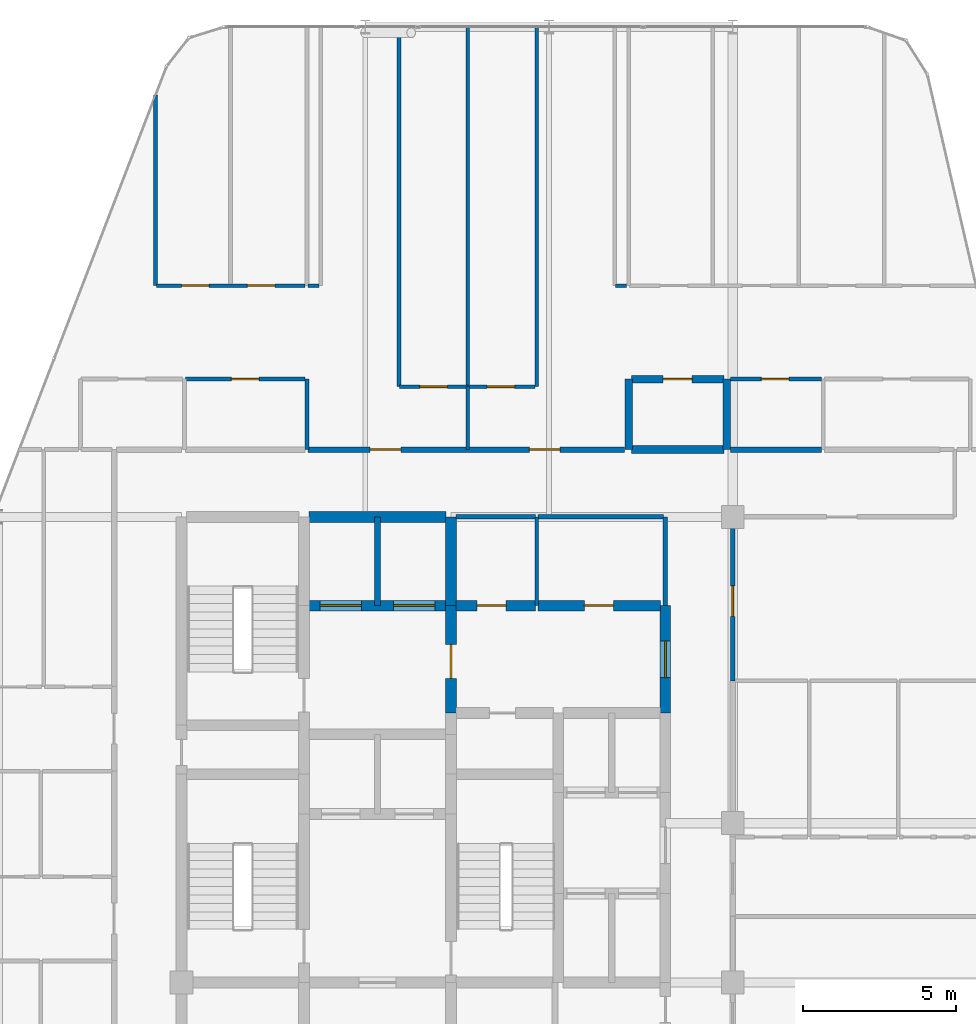
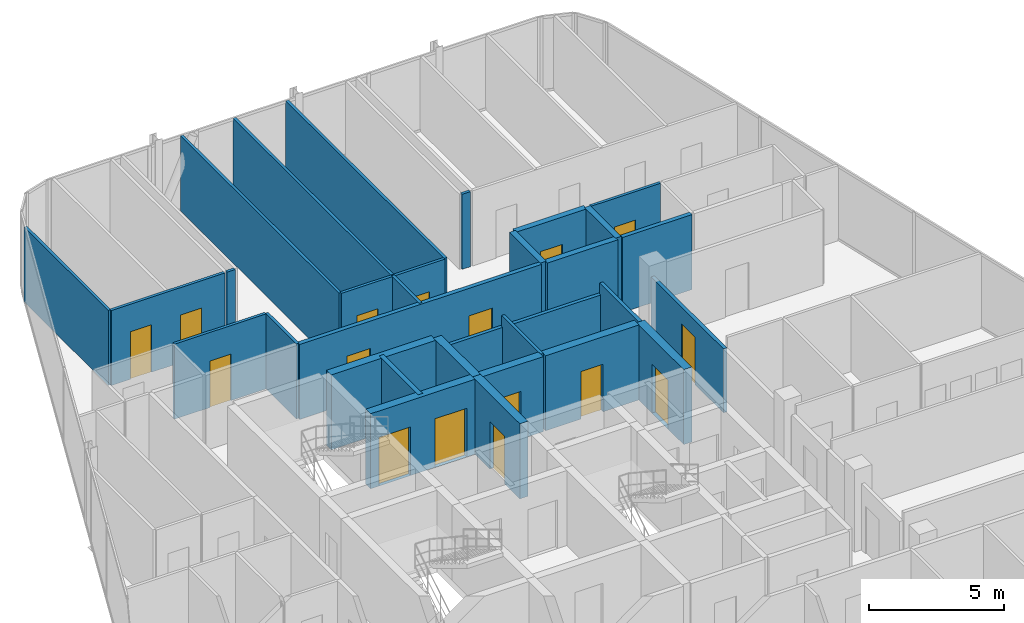
# One storey, part 27 of 29: 31 walls, 16 doors, 16 openings.
"""IFC4 building model written with IfcOpenShell, lengths in metres."""

from ifc_helpers import new_model, si_unit, direction, frame, frame_2d, origin, place, context, subcontext, project, spatial, rectangle, extrude, material, layer, layer_set, type_object, element, fill, save


model = new_model("IFC4")

# Units and contexts
model_context = context("Model", 3, precision=1e-05, world=origin(), true_north=direction((0.0, 1.0)))
body_context = subcontext(model_context, "Body", "Model", "MODEL_VIEW")
ifc_project = project(units=[si_unit("LENGTHUNIT", "METRE"), si_unit("AREAUNIT", "SQUARE_METRE"), si_unit("VOLUMEUNIT", "CUBIC_METRE"), si_unit("PLANEANGLEUNIT", "RADIAN"), si_unit("MASSUNIT", "GRAM", prefix="KILO")], contexts=[model_context])

# Site, building, storey
site_placement = place(None, origin())
site = spatial("IfcSite", under=ifc_project, at=site_placement, CompositionType="ELEMENT")
building_placement = place(site_placement, origin())
building = spatial("IfcBuilding", under=site, at=building_placement, Name="Keshet Zoharim Tower", CompositionType="ELEMENT")
storey_placement = place(building_placement, frame((0.0, 0.0, 206.89990234375)))
storey = spatial("IfcBuildingStorey", under=building, at=storey_placement, Name="L51", CompositionType="ELEMENT", Elevation=206.89990234375)

# Wall
ifc_material_1 = material(Name="Gypsum Plasterboard", Category="gypsum")
ifc_layer_1 = layer(ifc_material_1, 0.14990234375)
ifc_layer_set_1 = layer_set([ifc_layer_1], Name="Gypsum Plasterboard")
wall_type_1 = type_object("IfcWallType", Name="WL-CLIN-150", PredefinedType="STANDARD", material=ifc_layer_set_1)
wall_1_placement = place(storey_placement, frame((30.800048828125, 35.0, 0.0), z_axis=(0.0, 0.0, 1.0), x_axis=(0.0, 1.0, 0.0)))
element("IfcWall", 1, at=wall_1_placement, inside=storey, type_object=wall_type_1, Name="L51 Interior Wall 066", PredefinedType="STANDARD", context=body_context, shape_type="SweptSolid", body=[
    extrude(rectangle(XDim=2.89990234375, YDim=0.14990234375, at=frame_2d((1.449951171875, 0.0))), origin(), (0.0, 0.0, 1.0), 3.39013671875),
])

# Wall, opening, door
wall_2_placement = place(storey_placement, frame((33.0, 32.5400390625, 0.0), z_axis=(0.0, 0.0, 1.0), x_axis=(0.0, 1.0, 0.0)))
wall_2 = element("IfcWall", 2, at=wall_2_placement, inside=storey, type_object=wall_type_1, Name="L51 Interior Wall 075", PredefinedType="STANDARD", context=body_context, shape_type="SweptSolid", body=[
    extrude(rectangle(XDim=5.35986328125, YDim=0.14990234375, at=frame_2d((2.679931640625, 0.0))), origin(), (0.0, 0.0, 1.0), 2.89013671875),
])
opening_1_placement = place(wall_2_placement, frame((2.10888671875, 0.0, 0.0)))
opening_1 = element("IfcOpeningElement", 3, at=opening_1_placement, cuts=wall_2, Name="Opening D-F310", PredefinedType="OPENING", context=body_context, shape_type="SweptSolid", body=[
    extrude(rectangle(XDim=1.0, YDim=2.14990234375, at=frame_2d((0.5, 1.074951171875))), frame((0.0, 0.0849609375, 0.0), z_axis=(0.0, -1.0, 0.0), x_axis=(1.0, 0.0, 0.0)), (0.0, 0.0, 1.0), 0.169921875),
])
ifc_material_2 = material(Name="Hardwood Timber", Category="wood")
door_type_1 = type_object("IfcDoorType", Name="DR-FD30-100", OperationType="NOTDEFINED", PredefinedType="DOOR", material=ifc_material_2)
door_1_placement = place(opening_1_placement, origin())
door_1 = element("IfcDoor", 4, at=door_1_placement, inside=storey, type_object=door_type_1, Name="L51 North West Residents Services Suite Door 2", OperationType="SINGLE_SWING_RIGHT", OverallHeight=2.14990234375, OverallWidth=1.0, PredefinedType="DOOR", context=body_context, shape_type="SweptSolid", body=[
    extrude(rectangle(XDim=1.0, YDim=2.14990234375, at=frame_2d((0.5, 1.074951171875))), frame((0.0, 0.02490234375, 0.0), z_axis=(0.0, -1.0, 0.0), x_axis=(1.0, 0.0, 0.0)), (0.0, 0.0, 1.0), 0.050048828125),
])
fill(opening_1, door_1)

# Walls
wall_3_placement = place(storey_placement, frame((23.9599609375, 37.89990234375, 0.0), z_axis=(0.0, 0.0, 1.0), x_axis=(1.0, 0.0, 0.0)))
element("IfcWall", 5, at=wall_3_placement, inside=storey, type_object=wall_type_1, Name="L51 Interior Wall 170", PredefinedType="STANDARD", context=body_context, shape_type="SweptSolid", body=[
    extrude(rectangle(XDim=2.594970703125, YDim=0.14990234375, at=frame_2d((1.29736328125, 0.0))), origin(), (0.0, 0.0, 1.0), 2.89013671875),
])
wall_4_placement = place(storey_placement, frame((26.64501953125, 37.89990234375, 0.0), z_axis=(0.0, 0.0, 1.0), x_axis=(1.0, 0.0, 0.0)))
element("IfcWall", 6, at=wall_4_placement, inside=storey, type_object=wall_type_1, Name="L51 Interior Wall 171", PredefinedType="STANDARD", context=body_context, shape_type="SweptSolid", body=[
    extrude(rectangle(XDim=4.094970703125, YDim=0.14990234375, at=frame_2d((2.04736328125, 0.0))), origin(), (0.0, 0.0, 1.0), 2.89013671875),
])

# Wall, opening, door
ifc_material_3 = material(Name="Concrete C60/75", Category="concrete")
ifc_layer_2 = layer(ifc_material_3, 0.35009765625)
ifc_layer_set_2 = layer_set([ifc_layer_2], Name="Concrete C60/75")
wall_type_2 = type_object("IfcWallType", Name="WL-CORE-350", PredefinedType="SHEAR", material=ifc_layer_set_2)
wall_5_placement = place(storey_placement, frame((23.800048828125, 31.5, 0.0), z_axis=(0.0, 0.0, 1.0), x_axis=(0.0, 1.0, 0.0)))
wall_5 = element("IfcWall", 7, at=wall_5_placement, inside=storey, type_object=wall_type_2, Name="L51 Core Shear Wall 042", PredefinedType="SHEAR", context=body_context, shape_type="SweptSolid", body=[
    extrude(rectangle(XDim=3.5, YDim=0.35009765625, at=frame_2d((1.75, 0.0))), origin(), (0.0, 0.0, 1.0), 3.39013671875),
])
opening_2_placement = place(wall_5_placement, frame((1.126953125, 0.0, 0.0)))
opening_2 = element("IfcOpeningElement", 8, at=opening_2_placement, cuts=wall_5, Name="Opening D-F611", PredefinedType="OPENING", context=body_context, shape_type="SweptSolid", body=[
    extrude(rectangle(XDim=1.10009765625, YDim=2.14990234375, at=frame_2d((0.550048828125, 1.074951171875))), frame((0.0, 0.18505859375, 0.0), z_axis=(0.0, -1.0, 0.0), x_axis=(1.0, 0.0, 0.0)), (0.0, 0.0, 1.0), 0.3701171875),
])
door_type_2 = type_object("IfcDoorType", Name="DR-FD60-110", OperationType="NOTDEFINED", PredefinedType="DOOR", material=ifc_material_2)
door_2_placement = place(opening_2_placement, origin())
door_2 = element("IfcDoor", 9, at=door_2_placement, inside=storey, type_object=door_type_2, Name="L51 Firefighting Lobby Fire Door", OperationType="SINGLE_SWING_RIGHT", OverallHeight=2.14990234375, OverallWidth=1.10009765625, PredefinedType="DOOR", context=body_context, shape_type="SweptSolid", body=[
    extrude(rectangle(XDim=1.10009765625, YDim=2.14990234375, at=frame_2d((0.550048828125, 1.074951171875))), frame((0.0, 0.02490234375, 0.0), z_axis=(0.0, -1.0, 0.0), x_axis=(1.0, 0.0, 0.0)), (0.0, 0.0, 1.0), 0.050048828125),
])
fill(opening_2, door_2)

# Wall
wall_6_placement = place(storey_placement, frame((23.800048828125, 35.0, 0.0), z_axis=(0.0, 0.0, 1.0), x_axis=(0.0, 1.0, 0.0)))
element("IfcWall", 10, at=wall_6_placement, inside=storey, type_object=wall_type_2, Name="L51 Core Shear Wall 043", PredefinedType="SHEAR", context=body_context, shape_type="SweptSolid", body=[
    extrude(rectangle(XDim=2.89990234375, YDim=0.35009765625, at=frame_2d((1.449951171875, 0.0))), origin(), (0.0, 0.0, 1.0), 3.39013671875),
])

# Wall, opening, door
wall_7_placement = place(storey_placement, frame((30.800048828125, 31.5, 0.0), z_axis=(0.0, 0.0, 1.0), x_axis=(0.0, 1.0, 0.0)))
wall_7 = element("IfcWall", 11, at=wall_7_placement, inside=storey, type_object=wall_type_2, Name="L51 Core Shear Wall 065", PredefinedType="SHEAR", context=body_context, shape_type="SweptSolid", body=[
    extrude(rectangle(XDim=3.5, YDim=0.35009765625, at=frame_2d((1.75, 0.0))), origin(), (0.0, 0.0, 1.0), 3.39013671875),
])
opening_3_placement = place(wall_7_placement, frame((1.14990234375, 0.0, 0.0)))
opening_3 = element("IfcOpeningElement", 12, at=opening_3_placement, cuts=wall_7, Name="Opening D-F612", PredefinedType="OPENING", context=body_context, shape_type="SweptSolid", body=[
    extrude(rectangle(XDim=1.199951171875, YDim=2.199951171875, at=frame_2d((0.60009765625, 1.10009765625))), frame((0.0, 0.18505859375, 0.0), z_axis=(0.0, -1.0, 0.0), x_axis=(1.0, 0.0, 0.0)), (0.0, 0.0, 1.0), 0.3701171875),
])
door_type_3 = type_object("IfcDoorType", Name="DR-FD60-120", OperationType="NOTDEFINED", PredefinedType="DOOR", material=ifc_material_2)
door_3_placement = place(opening_3_placement, origin())
door_3 = element("IfcDoor", 13, at=door_3_placement, inside=storey, type_object=door_type_3, Name="L51 North Lift Lobby East Fire Door", OperationType="SINGLE_SWING_LEFT", OverallHeight=2.199951171875, OverallWidth=1.199951171875, PredefinedType="DOOR", context=body_context, shape_type="SweptSolid", body=[
    extrude(rectangle(XDim=1.199951171875, YDim=2.199951171875, at=frame_2d((0.60009765625, 1.10009765625))), frame((0.0, 0.02490234375, 0.0), z_axis=(0.0, -1.0, 0.0), x_axis=(1.0, 0.0, 0.0)), (0.0, 0.0, 1.0), 0.050048828125),
])
fill(opening_3, door_3)

# Wall, openings, doors
wall_8_placement = place(storey_placement, frame((19.159912109375, 35.0, 0.0), z_axis=(0.0, 0.0, 1.0), x_axis=(1.0, 0.0, 0.0)))
wall_8 = element("IfcWall", 14, at=wall_8_placement, inside=storey, type_object=wall_type_2, Name="L51 Core Shear Wall 165", PredefinedType="SHEAR", context=body_context, shape_type="SweptSolid", body=[
    extrude(rectangle(XDim=4.47998046875, YDim=0.35009765625, at=frame_2d((2.239990234375, 0.0))), origin(), (0.0, 0.0, 1.0), 3.39013671875),
])
opening_4_placement = place(wall_8_placement, frame((0.364990234375, 0.0, 0.0)))
opening_4 = element("IfcOpeningElement", 15, at=opening_4_placement, cuts=wall_8, Name="Opening LD-02", PredefinedType="OPENING", context=body_context, shape_type="SweptSolid", body=[
    extrude(rectangle(XDim=1.35009765625, YDim=2.199951171875, at=frame_2d((0.675048828125, 1.10009765625))), frame((0.0, 0.18505859375, 0.0), z_axis=(0.0, -1.0, 0.0), x_axis=(1.0, 0.0, 0.0)), (0.0, 0.0, 1.0), 0.3701171875),
])
opening_5_placement = place(wall_8_placement, frame((2.764892578125, 0.0, 0.0)))
opening_5 = element("IfcOpeningElement", 16, at=opening_5_placement, cuts=wall_8, Name="Opening LD-02", PredefinedType="OPENING", context=body_context, shape_type="SweptSolid", body=[
    extrude(rectangle(XDim=1.35009765625, YDim=2.199951171875, at=frame_2d((0.675048828125, 1.10009765625))), frame((0.0, 0.18505859375, 0.0), z_axis=(0.0, -1.0, 0.0), x_axis=(1.0, 0.0, 0.0)), (0.0, 0.0, 1.0), 0.3701171875),
])
ifc_material_4 = material(Name="Steel S355", Category="steel")
door_type_4 = type_object("IfcDoorType", Name="DR-LD02-135", OperationType="DOUBLE_DOOR_SLIDING", PredefinedType="DOOR", material=ifc_material_4)
door_4_placement = place(opening_4_placement, origin())
door_4 = element("IfcDoor", 17, at=door_4_placement, inside=storey, type_object=door_type_4, Name="L51 Firefighting Lift Landing Door FF-01", OperationType="DOUBLE_DOOR_SLIDING", OverallHeight=2.199951171875, OverallWidth=1.35009765625, PredefinedType="DOOR", context=body_context, shape_type="SweptSolid", body=[
    extrude(rectangle(XDim=1.35009765625, YDim=2.199951171875, at=frame_2d((0.675048828125, 1.10009765625))), frame((0.0, 0.02490234375, 0.0), z_axis=(0.0, -1.0, 0.0), x_axis=(1.0, 0.0, 0.0)), (0.0, 0.0, 1.0), 0.050048828125),
])
fill(opening_4, door_4)
door_5_placement = place(opening_5_placement, origin())
door_5 = element("IfcDoor", 18, at=door_5_placement, inside=storey, type_object=door_type_4, Name="L51 Firefighting Lift Landing Door FF-02", OperationType="DOUBLE_DOOR_SLIDING", OverallHeight=2.199951171875, OverallWidth=1.35009765625, PredefinedType="DOOR", context=body_context, shape_type="SweptSolid", body=[
    extrude(rectangle(XDim=1.35009765625, YDim=2.199951171875, at=frame_2d((0.675048828125, 1.10009765625))), frame((0.0, 0.02490234375, 0.0), z_axis=(0.0, -1.0, 0.0), x_axis=(1.0, 0.0, 0.0)), (0.0, 0.0, 1.0), 0.050048828125),
])
fill(opening_5, door_5)

# Wall, opening, door
wall_9_placement = place(storey_placement, frame((23.9599609375, 35.0, 0.0), z_axis=(0.0, 0.0, 1.0), x_axis=(1.0, 0.0, 0.0)))
wall_9 = element("IfcWall", 19, at=wall_9_placement, inside=storey, type_object=wall_type_2, Name="L51 Core Shear Wall 166", PredefinedType="SHEAR", context=body_context, shape_type="SweptSolid", body=[
    extrude(rectangle(XDim=2.594970703125, YDim=0.35009765625, at=frame_2d((1.29736328125, 0.0))), origin(), (0.0, 0.0, 1.0), 3.39013671875),
])
opening_6_placement = place(wall_9_placement, frame((0.69091796875, 0.0, 0.0)))
opening_6 = element("IfcOpeningElement", 20, at=opening_6_placement, cuts=wall_9, Name="Opening D-F695", PredefinedType="OPENING", context=body_context, shape_type="SweptSolid", body=[
    extrude(rectangle(XDim=0.949951171875, YDim=2.14990234375, at=frame_2d((0.47509765625, 1.074951171875))), frame((0.0, 0.18505859375, 0.0), z_axis=(0.0, -1.0, 0.0), x_axis=(1.0, 0.0, 0.0)), (0.0, 0.0, 1.0), 0.3701171875),
])
door_type_5 = type_object("IfcDoorType", Name="DR-FD60-095", OperationType="NOTDEFINED", PredefinedType="DOOR", material=ifc_material_2)
door_6_placement = place(opening_6_placement, frame((0.949951171875, 0.0, 0.0), z_axis=(0.0, 0.0, 1.0), x_axis=(-1.0, 0.0, 0.0)))
door_6 = element("IfcDoor", 21, at=door_6_placement, inside=storey, type_object=door_type_5, Name="L51 Laundry Room Door", OperationType="SINGLE_SWING_LEFT", OverallHeight=2.14990234375, OverallWidth=0.949951171875, PredefinedType="DOOR", context=body_context, shape_type="SweptSolid", body=[
    extrude(rectangle(XDim=0.949951171875, YDim=2.14990234375, at=frame_2d((0.47509765625, 1.074951171875))), frame((0.0, 0.02490234375, 0.0), z_axis=(0.0, -1.0, 0.0), x_axis=(1.0, 0.0, 0.0)), (0.0, 0.0, 1.0), 0.050048828125),
])
fill(opening_6, door_6)

wall_10_placement = place(storey_placement, frame((26.64501953125, 35.0, 0.0), z_axis=(0.0, 0.0, 1.0), x_axis=(1.0, 0.0, 0.0)))
wall_10 = element("IfcWall", 22, at=wall_10_placement, inside=storey, type_object=wall_type_2, Name="L51 Core Shear Wall 167", PredefinedType="SHEAR", context=body_context, shape_type="SweptSolid", body=[
    extrude(rectangle(XDim=3.994873046875, YDim=0.35009765625, at=frame_2d((1.99755859375, 0.0))), origin(), (0.0, 0.0, 1.0), 3.39013671875),
])
opening_7_placement = place(wall_10_placement, frame((1.508056640625, 0.0, 0.0)))
opening_7 = element("IfcOpeningElement", 23, at=opening_7_placement, cuts=wall_10, Name="Opening D-F695", PredefinedType="OPENING", context=body_context, shape_type="SweptSolid", body=[
    extrude(rectangle(XDim=0.949951171875, YDim=2.14990234375, at=frame_2d((0.47509765625, 1.074951171875))), frame((0.0, 0.18505859375, 0.0), z_axis=(0.0, -1.0, 0.0), x_axis=(1.0, 0.0, 0.0)), (0.0, 0.0, 1.0), 0.3701171875),
])
door_7_placement = place(opening_7_placement, frame((0.949951171875, 0.0, 0.0), z_axis=(0.0, 0.0, 1.0), x_axis=(-1.0, 0.0, 0.0)))
door_7 = element("IfcDoor", 24, at=door_7_placement, inside=storey, type_object=door_type_5, Name="L51 Quiet Study Room Door", OperationType="SINGLE_SWING_RIGHT", OverallHeight=2.14990234375, OverallWidth=0.949951171875, PredefinedType="DOOR", context=body_context, shape_type="SweptSolid", body=[
    extrude(rectangle(XDim=0.949951171875, YDim=2.14990234375, at=frame_2d((0.47509765625, 1.074951171875))), frame((0.0, 0.02490234375, 0.0), z_axis=(0.0, -1.0, 0.0), x_axis=(1.0, 0.0, 0.0)), (0.0, 0.0, 1.0), 0.050048828125),
])
fill(opening_7, door_7)

# Wall
wall_11_placement = place(storey_placement, frame((19.159912109375, 37.89990234375, 0.0), z_axis=(0.0, 0.0, 1.0), x_axis=(1.0, 0.0, 0.0)))
element("IfcWall", 25, at=wall_11_placement, inside=storey, type_object=wall_type_2, Name="L51 Core Shear Wall 169", PredefinedType="SHEAR", context=body_context, shape_type="SweptSolid", body=[
    extrude(rectangle(XDim=4.47998046875, YDim=0.35009765625, at=frame_2d((2.239990234375, 0.0))), origin(), (0.0, 0.0, 1.0), 3.39013671875),
])

# Wall, openings, doors
ifc_layer_3 = layer(ifc_material_1, 0.179931640625)
ifc_layer_set_3 = layer_set([ifc_layer_3], Name="Gypsum Plasterboard")
wall_type_3 = type_object("IfcWallType", Name="WL-CORR-180", PredefinedType="STANDARD", material=ifc_layer_set_3)
wall_12_placement = place(storey_placement, frame((19.125, 40.10009765625, 0.0), z_axis=(0.0, 0.0, 1.0), x_axis=(1.0, 0.0, 0.0)))
wall_12 = element("IfcWall", 26, at=wall_12_placement, inside=storey, type_object=wall_type_3, Name="L51 Interior Wall 178", PredefinedType="STANDARD", context=body_context, shape_type="SweptSolid", body=[
    extrude(rectangle(XDim=10.344970703125, YDim=0.179931640625, at=frame_2d((5.17236328125, 0.0))), origin(), (0.0, 0.0, 1.0), 3.39013671875),
])
opening_8_placement = place(wall_12_placement, frame((2.034912109375, 0.0, 0.0)))
opening_8 = element("IfcOpeningElement", 27, at=opening_8_placement, cuts=wall_12, Name="Opening D-F310", PredefinedType="OPENING", context=body_context, shape_type="SweptSolid", body=[
    extrude(rectangle(XDim=1.0, YDim=2.14990234375, at=frame_2d((0.5, 1.074951171875))), frame((0.0, 0.10009765625, 0.0), z_axis=(0.0, -1.0, 0.0), x_axis=(1.0, 0.0, 0.0)), (0.0, 0.0, 1.0), 0.199951171875),
])
opening_9_placement = place(wall_12_placement, frame((7.235107421875, 0.0, 0.0)))
opening_9 = element("IfcOpeningElement", 28, at=opening_9_placement, cuts=wall_12, Name="Opening D-F310", PredefinedType="OPENING", context=body_context, shape_type="SweptSolid", body=[
    extrude(rectangle(XDim=1.0, YDim=2.14990234375, at=frame_2d((0.5, 1.074951171875))), frame((0.0, 0.10009765625, 0.0), z_axis=(0.0, -1.0, 0.0), x_axis=(1.0, 0.0, 0.0)), (0.0, 0.0, 1.0), 0.199951171875),
])
door_8_placement = place(opening_8_placement, origin())
door_8 = element("IfcDoor", 29, at=door_8_placement, inside=storey, type_object=door_type_1, Name="Apartment 5105 Entrance Door", OperationType="SINGLE_SWING_RIGHT", OverallHeight=2.14990234375, OverallWidth=1.0, PredefinedType="DOOR", context=body_context, shape_type="SweptSolid", body=[
    extrude(rectangle(XDim=1.0, YDim=2.14990234375, at=frame_2d((0.5, 1.074951171875))), frame((0.0, 0.02490234375, 0.0), z_axis=(0.0, -1.0, 0.0), x_axis=(1.0, 0.0, 0.0)), (0.0, 0.0, 1.0), 0.050048828125),
])
fill(opening_8, door_8)
door_9_placement = place(opening_9_placement, origin())
door_9 = element("IfcDoor", 30, at=door_9_placement, inside=storey, type_object=door_type_1, Name="Apartment 5106 Entrance Door", OperationType="SINGLE_SWING_LEFT", OverallHeight=2.14990234375, OverallWidth=1.0, PredefinedType="DOOR", context=body_context, shape_type="SweptSolid", body=[
    extrude(rectangle(XDim=1.0, YDim=2.14990234375, at=frame_2d((0.5, 1.074951171875))), frame((0.0, 0.02490234375, 0.0), z_axis=(0.0, -1.0, 0.0), x_axis=(1.0, 0.0, 0.0)), (0.0, 0.0, 1.0), 0.050048828125),
])
fill(opening_9, door_9)

# Walls
wall_13_placement = place(storey_placement, frame((32.929931640625, 40.10009765625, 0.0), z_axis=(0.0, 0.0, 1.0), x_axis=(1.0, 0.0, 0.0)))
element("IfcWall", 31, at=wall_13_placement, inside=storey, type_object=wall_type_3, Name="L51 Interior Wall 180", PredefinedType="STANDARD", context=body_context, shape_type="SweptSolid", body=[
    extrude(rectangle(XDim=2.97314453125, YDim=0.179931640625, at=frame_2d((1.486572265625, 0.0))), origin(), (0.0, 0.0, 1.0), 3.39013671875),
])
ifc_material_5 = material(Name="Concrete C50/60", Category="concrete")
ifc_layer_4 = layer(ifc_material_5, 0.199951171875)
ifc_layer_set_4 = layer_set([ifc_layer_4], Name="Concrete C50/60")
wall_type_4 = type_object("IfcWallType", Name="WL-FIRE-200", PredefinedType="STANDARD", material=ifc_layer_set_4)
wall_14_placement = place(storey_placement, frame((21.39990234375, 35.0, 0.0), z_axis=(0.0, 0.0, 1.0), x_axis=(0.0, 1.0, 0.0)))
element("IfcWall", 32, at=wall_14_placement, inside=storey, type_object=wall_type_4, Name="L51 Interior Wall 035", PredefinedType="STANDARD", context=body_context, shape_type="SweptSolid", body=[
    extrude(rectangle(XDim=2.89990234375, YDim=0.199951171875, at=frame_2d((1.449951171875, 0.0))), origin(), (0.0, 0.0, 1.0), 3.39013671875),
])
ifc_layer_5 = layer(ifc_material_5, 0.25)
ifc_layer_set_5 = layer_set([ifc_layer_5], Name="Concrete C50/60")
wall_type_5 = type_object("IfcWallType", Name="WL-MAMAD-250", PredefinedType="STANDARD", material=ifc_layer_set_5)
for number, where, z_axis, x_axis, name in (
    (33, (29.60009765625, 40.10009765625, 0.0), (0.0, 0.0, 1.0), (0.0, 1.0, 0.0), "L51 Interior Wall 058"),
    (34, (32.800048828125, 40.10009765625, 0.0), (0.0, 0.0, 1.0), (0.0, 1.0, 0.0), "L51 Interior Wall 071"),
):
    element("IfcWall", number, at=place(storey_placement, frame(where, z_axis=z_axis, x_axis=x_axis)), inside=storey, type_object=wall_type_5, Name=name, PredefinedType="STANDARD", context=body_context, shape_type="SweptSolid", body=[
        extrude(rectangle(XDim=2.2998046875, YDim=0.25, at=frame_2d((1.14990234375, 0.0))), origin(), (0.0, 0.0, 1.0), 3.39013671875),
    ])
wall_15_placement = place(storey_placement, frame((29.68994140625, 40.10009765625, 0.0), z_axis=(0.0, 0.0, 1.0), x_axis=(1.0, 0.0, 0.0)))
element("IfcWall", 35, at=wall_15_placement, inside=storey, type_object=wall_type_5, Name="L51 Interior Wall 179", PredefinedType="STANDARD", context=body_context, shape_type="SweptSolid", body=[
    extrude(rectangle(XDim=3.02001953125, YDim=0.25, at=frame_2d((1.510009765625, 0.0))), origin(), (0.0, 0.0, 1.0), 3.39013671875),
])

# Wall, opening, door
wall_16_placement = place(storey_placement, frame((29.68994140625, 42.39990234375, 0.0), z_axis=(0.0, 0.0, 1.0), x_axis=(1.0, 0.0, 0.0)))
wall_16 = element("IfcWall", 36, at=wall_16_placement, inside=storey, type_object=wall_type_5, Name="L51 Interior Wall 188", PredefinedType="STANDARD", context=body_context, shape_type="SweptSolid", body=[
    extrude(rectangle(XDim=3.02001953125, YDim=0.25, at=frame_2d((1.510009765625, 0.0))), origin(), (0.0, 0.0, 1.0), 3.39013671875),
])
opening_10_placement = place(wall_16_placement, frame((1.034912109375, 0.0, 0.0)))
opening_10 = element("IfcOpeningElement", 37, at=opening_10_placement, cuts=wall_16, Name="Opening D-F695", PredefinedType="OPENING", context=body_context, shape_type="SweptSolid", body=[
    extrude(rectangle(XDim=0.949951171875, YDim=2.14990234375, at=frame_2d((0.47509765625, 1.074951171875))), frame((0.0, 0.135009765625, 0.0), z_axis=(0.0, -1.0, 0.0), x_axis=(1.0, 0.0, 0.0)), (0.0, 0.0, 1.0), 0.27001953125),
])
door_10_placement = place(opening_10_placement, origin())
door_10 = element("IfcDoor", 38, at=door_10_placement, inside=storey, type_object=door_type_5, Name="Apartment 5106 Study and Shelter Room Door", OperationType="SINGLE_SWING_RIGHT", OverallHeight=2.14990234375, OverallWidth=0.949951171875, PredefinedType="DOOR", context=body_context, shape_type="SweptSolid", body=[
    extrude(rectangle(XDim=0.949951171875, YDim=2.14990234375, at=frame_2d((0.47509765625, 1.074951171875))), frame((0.0, 0.02490234375, 0.0), z_axis=(0.0, -1.0, 0.0), x_axis=(1.0, 0.0, 0.0)), (0.0, 0.0, 1.0), 0.050048828125),
])
fill(opening_10, door_10)

# Walls
ifc_layer_6 = layer(ifc_material_1, 0.1201171875)
ifc_layer_set_6 = layer_set([ifc_layer_6], Name="Gypsum Plasterboard")
wall_type_6 = type_object("IfcWallType", Name="WL-PART-120", PredefinedType="PARTITIONING", material=ifc_layer_set_6)
wall_17_placement = place(storey_placement, frame((14.14990234375, 45.449951171875, 0.0), z_axis=(0.0, 0.0, 1.0), x_axis=(0.0, 1.0, 0.0)))
element("IfcWall", 39, at=wall_17_placement, inside=storey, type_object=wall_type_6, Name="L51 Interior Wall 014", PredefinedType="PARTITIONING", context=body_context, shape_type="SweptSolid", body=[
    extrude(rectangle(XDim=6.22998046875, YDim=0.1201171875, at=frame_2d((3.114990234375, 0.0))), origin(), (0.0, 0.0, 1.0), 3.39013671875),
])
wall_18_placement = place(storey_placement, frame((22.10009765625, 42.14990234375, 0.0), z_axis=(0.0, 0.0, 1.0), x_axis=(0.0, 1.0, 0.0)))
element("IfcWall", 40, at=wall_18_placement, inside=storey, type_object=wall_type_6, Name="L51 Interior Wall 036", PredefinedType="PARTITIONING", context=body_context, shape_type="SweptSolid", body=[
    extrude(rectangle(XDim=11.739990234375, YDim=0.1201171875, at=frame_2d((5.8701171875, 0.0))), origin(), (0.0, 0.0, 1.0), 3.39013671875),
])
wall_19_placement = place(storey_placement, frame((24.35009765625, 40.10009765625, 0.0), z_axis=(0.0, 0.0, 1.0), x_axis=(0.0, 1.0, 0.0)))
element("IfcWall", 41, at=wall_19_placement, inside=storey, type_object=wall_type_6, Name="L51 Interior Wall 044", PredefinedType="PARTITIONING", context=body_context, shape_type="SweptSolid", body=[
    extrude(rectangle(XDim=2.0498046875, YDim=0.1201171875, at=frame_2d((1.02490234375, 0.0))), origin(), (0.0, 0.0, 1.0), 3.39013671875),
])
wall_20_placement = place(storey_placement, frame((24.35009765625, 42.14990234375, 0.0), z_axis=(0.0, 0.0, 1.0), x_axis=(0.0, 1.0, 0.0)))
element("IfcWall", 42, at=wall_20_placement, inside=storey, type_object=wall_type_6, Name="L51 Interior Wall 045", PredefinedType="PARTITIONING", context=body_context, shape_type="SweptSolid", body=[
    extrude(rectangle(XDim=11.739990234375, YDim=0.1201171875, at=frame_2d((5.8701171875, 0.0))), origin(), (0.0, 0.0, 1.0), 3.39013671875),
])
wall_21_placement = place(storey_placement, frame((26.60009765625, 35.0, 0.0), z_axis=(0.0, 0.0, 1.0), x_axis=(0.0, 1.0, 0.0)))
element("IfcWall", 43, at=wall_21_placement, inside=storey, type_object=wall_type_6, Name="L51 Interior Wall 046", PredefinedType="PARTITIONING", context=body_context, shape_type="SweptSolid", body=[
    extrude(rectangle(XDim=2.89990234375, YDim=0.1201171875, at=frame_2d((1.449951171875, 0.0))), origin(), (0.0, 0.0, 1.0), 3.39013671875),
])
wall_22_placement = place(storey_placement, frame((26.60009765625, 42.14990234375, 0.0), z_axis=(0.0, 0.0, 1.0), x_axis=(0.0, 1.0, 0.0)))
element("IfcWall", 44, at=wall_22_placement, inside=storey, type_object=wall_type_6, Name="L51 Interior Wall 047", PredefinedType="PARTITIONING", context=body_context, shape_type="SweptSolid", body=[
    extrude(rectangle(XDim=11.739990234375, YDim=0.1201171875, at=frame_2d((5.8701171875, 0.0))), origin(), (0.0, 0.0, 1.0), 3.39013671875),
])

# Wall, openings, doors
wall_23_placement = place(storey_placement, frame((22.125, 42.14990234375, 0.0), z_axis=(0.0, 0.0, 1.0), x_axis=(1.0, 0.0, 0.0)))
wall_23 = element("IfcWall", 45, at=wall_23_placement, inside=storey, type_object=wall_type_6, Name="L51 Interior Wall 185", PredefinedType="PARTITIONING", context=body_context, shape_type="SweptSolid", body=[
    extrude(rectangle(XDim=4.409912109375, YDim=0.1201171875, at=frame_2d((2.205078125, 0.0))), origin(), (0.0, 0.0, 1.0), 3.39013671875),
])
opening_11_placement = place(wall_23_placement, frame((0.655029296875, 0.0, 0.0)))
opening_11 = element("IfcOpeningElement", 46, at=opening_11_placement, cuts=wall_23, Name="Opening D-IN90", PredefinedType="OPENING", context=body_context, shape_type="SweptSolid", body=[
    extrude(rectangle(XDim=0.89990234375, YDim=2.14990234375, at=frame_2d((0.449951171875, 1.074951171875))), frame((0.0, 0.070068359375, 0.0), z_axis=(0.0, -1.0, 0.0), x_axis=(1.0, 0.0, 0.0)), (0.0, 0.0, 1.0), 0.14013671875),
])
opening_12_placement = place(wall_23_placement, frame((2.85498046875, 0.0, 0.0)))
opening_12 = element("IfcOpeningElement", 47, at=opening_12_placement, cuts=wall_23, Name="Opening D-IN90", PredefinedType="OPENING", context=body_context, shape_type="SweptSolid", body=[
    extrude(rectangle(XDim=0.89990234375, YDim=2.14990234375, at=frame_2d((0.449951171875, 1.074951171875))), frame((0.0, 0.070068359375, 0.0), z_axis=(0.0, -1.0, 0.0), x_axis=(1.0, 0.0, 0.0)), (0.0, 0.0, 1.0), 0.14013671875),
])
door_type_6 = type_object("IfcDoorType", Name="DR-INT-090", OperationType="NOTDEFINED", PredefinedType="DOOR", material=ifc_material_2)
door_11_placement = place(opening_11_placement, origin())
door_11 = element("IfcDoor", 48, at=door_11_placement, inside=storey, type_object=door_type_6, Name="Apartment 5105 Formal Dining Room Door", OperationType="SINGLE_SWING_RIGHT", OverallHeight=2.14990234375, OverallWidth=0.89990234375, PredefinedType="DOOR", context=body_context, shape_type="SweptSolid", body=[
    extrude(rectangle(XDim=0.89990234375, YDim=2.14990234375, at=frame_2d((0.449951171875, 1.074951171875))), frame((0.0, 0.02490234375, 0.0), z_axis=(0.0, -1.0, 0.0), x_axis=(1.0, 0.0, 0.0)), (0.0, 0.0, 1.0), 0.050048828125),
])
fill(opening_11, door_11)
door_12_placement = place(opening_12_placement, origin())
door_12 = element("IfcDoor", 49, at=door_12_placement, inside=storey, type_object=door_type_6, Name="Apartment 5106 Formal Dining Room Door", OperationType="SINGLE_SWING_LEFT", OverallHeight=2.14990234375, OverallWidth=0.89990234375, PredefinedType="DOOR", context=body_context, shape_type="SweptSolid", body=[
    extrude(rectangle(XDim=0.89990234375, YDim=2.14990234375, at=frame_2d((0.449951171875, 1.074951171875))), frame((0.0, 0.02490234375, 0.0), z_axis=(0.0, -1.0, 0.0), x_axis=(1.0, 0.0, 0.0)), (0.0, 0.0, 1.0), 0.050048828125),
])
fill(opening_12, door_12)

wall_24_placement = place(storey_placement, frame((14.19091796875, 45.449951171875, 0.0), z_axis=(0.0, 0.0, 1.0), x_axis=(1.0, 0.0, 0.0)))
wall_24 = element("IfcWall", 50, at=wall_24_placement, inside=storey, type_object=wall_type_6, Name="L51 Interior Wall 191", PredefinedType="PARTITIONING", context=body_context, shape_type="SweptSolid", body=[
    extrude(rectangle(XDim=4.843994140625, YDim=0.1201171875, at=frame_2d((2.421875, 0.0))), origin(), (0.0, 0.0, 1.0), 3.39013671875),
])
opening_13_placement = place(wall_24_placement, frame((0.81298828125, 0.0, 0.0)))
opening_13 = element("IfcOpeningElement", 51, at=opening_13_placement, cuts=wall_24, Name="Opening D-IN90", PredefinedType="OPENING", context=body_context, shape_type="SweptSolid", body=[
    extrude(rectangle(XDim=0.89990234375, YDim=2.14990234375, at=frame_2d((0.449951171875, 1.074951171875))), frame((0.0, 0.070068359375, 0.0), z_axis=(0.0, -1.0, 0.0), x_axis=(1.0, 0.0, 0.0)), (0.0, 0.0, 1.0), 0.14013671875),
])
opening_14_placement = place(wall_24_placement, frame((2.9580078125, 0.0, 0.0)))
opening_14 = element("IfcOpeningElement", 52, at=opening_14_placement, cuts=wall_24, Name="Opening D-IN90", PredefinedType="OPENING", context=body_context, shape_type="SweptSolid", body=[
    extrude(rectangle(XDim=0.89990234375, YDim=2.14990234375, at=frame_2d((0.449951171875, 1.074951171875))), frame((0.0, 0.070068359375, 0.0), z_axis=(0.0, -1.0, 0.0), x_axis=(1.0, 0.0, 0.0)), (0.0, 0.0, 1.0), 0.14013671875),
])
door_13_placement = place(opening_13_placement, origin())
door_13 = element("IfcDoor", 53, at=door_13_placement, inside=storey, type_object=door_type_6, Name="Apartment 5105 Bedroom 2 Door", OperationType="SINGLE_SWING_LEFT", OverallHeight=2.14990234375, OverallWidth=0.89990234375, PredefinedType="DOOR", context=body_context, shape_type="SweptSolid", body=[
    extrude(rectangle(XDim=0.89990234375, YDim=2.14990234375, at=frame_2d((0.449951171875, 1.074951171875))), frame((0.0, 0.02490234375, 0.0), z_axis=(0.0, -1.0, 0.0), x_axis=(1.0, 0.0, 0.0)), (0.0, 0.0, 1.0), 0.050048828125),
])
fill(opening_13, door_13)
door_14_placement = place(opening_14_placement, origin())
door_14 = element("IfcDoor", 54, at=door_14_placement, inside=storey, type_object=door_type_6, Name="Apartment 5105 Bedroom 3 Door", OperationType="SINGLE_SWING_RIGHT", OverallHeight=2.14990234375, OverallWidth=0.89990234375, PredefinedType="DOOR", context=body_context, shape_type="SweptSolid", body=[
    extrude(rectangle(XDim=0.89990234375, YDim=2.14990234375, at=frame_2d((0.449951171875, 1.074951171875))), frame((0.0, 0.02490234375, 0.0), z_axis=(0.0, -1.0, 0.0), x_axis=(1.0, 0.0, 0.0)), (0.0, 0.0, 1.0), 0.050048828125),
])
fill(opening_14, door_14)

# Walls
wall_25_placement = place(storey_placement, frame((19.125, 45.449951171875, 0.0), z_axis=(0.0, 0.0, 1.0), x_axis=(1.0, 0.0, 0.0)))
element("IfcWall", 55, at=wall_25_placement, inside=storey, type_object=wall_type_6, Name="L51 Interior Wall 192", PredefinedType="PARTITIONING", context=body_context, shape_type="SweptSolid", body=[
    extrude(rectangle(XDim=0.360107421875, YDim=0.1201171875, at=frame_2d((0.18017578125, 0.0))), origin(), (0.0, 0.0, 1.0), 3.39013671875),
])
wall_26_placement = place(storey_placement, frame((29.175048828125, 45.449951171875, 0.0), z_axis=(0.0, 0.0, 1.0), x_axis=(1.0, 0.0, 0.0)))
element("IfcWall", 56, at=wall_26_placement, inside=storey, type_object=wall_type_6, Name="L51 Interior Wall 193", PredefinedType="PARTITIONING", context=body_context, shape_type="SweptSolid", body=[
    extrude(rectangle(XDim=0.35986328125, YDim=0.1201171875, at=frame_2d((0.179931640625, 0.0))), origin(), (0.0, 0.0, 1.0), 3.39013671875),
])
ifc_layer_7 = layer(ifc_material_1, 0.1201171875)
ifc_layer_set_7 = layer_set([ifc_layer_7], Name="Gypsum Plasterboard")
wall_type_7 = type_object("IfcWallType", Name="WL-WET-120", PredefinedType="PARTITIONING", material=ifc_layer_set_7)
wall_27_placement = place(storey_placement, frame((19.10009765625, 40.10009765625, 0.0), z_axis=(0.0, 0.0, 1.0), x_axis=(0.0, 1.0, 0.0)))
element("IfcWall", 57, at=wall_27_placement, inside=storey, type_object=wall_type_7, Name="L51 Interior Wall 030", PredefinedType="PARTITIONING", context=body_context, shape_type="SweptSolid", body=[
    extrude(rectangle(XDim=2.2998046875, YDim=0.1201171875, at=frame_2d((1.14990234375, 0.0))), origin(), (0.0, 0.0, 1.0), 3.39013671875),
])

# Wall, opening, door
wall_28_placement = place(storey_placement, frame((15.1279296875, 42.39990234375, 0.0), z_axis=(0.0, 0.0, 1.0), x_axis=(1.0, 0.0, 0.0)))
wall_28 = element("IfcWall", 58, at=wall_28_placement, inside=storey, type_object=wall_type_7, Name="L51 Interior Wall 187", PredefinedType="PARTITIONING", context=body_context, shape_type="SweptSolid", body=[
    extrude(rectangle(XDim=3.906982421875, YDim=0.1201171875, at=frame_2d((1.95361328125, 0.0))), origin(), (0.0, 0.0, 1.0), 3.39013671875),
])
opening_15_placement = place(wall_28_placement, frame((1.5029296875, 0.0, 0.0)))
opening_15 = element("IfcOpeningElement", 59, at=opening_15_placement, cuts=wall_28, Name="Opening D-WT90", PredefinedType="OPENING", context=body_context, shape_type="SweptSolid", body=[
    extrude(rectangle(XDim=0.89990234375, YDim=2.10009765625, at=frame_2d((0.449951171875, 1.050048828125))), frame((0.0, 0.070068359375, 0.0), z_axis=(0.0, -1.0, 0.0), x_axis=(1.0, 0.0, 0.0)), (0.0, 0.0, 1.0), 0.14013671875),
])
door_type_7 = type_object("IfcDoorType", Name="DR-WET-090", OperationType="NOTDEFINED", PredefinedType="DOOR", material=ifc_material_2)
door_15_placement = place(opening_15_placement, origin())
door_15 = element("IfcDoor", 60, at=door_15_placement, inside=storey, type_object=door_type_7, Name="Apartment 5105 Bathroom Door", OperationType="SINGLE_SWING_LEFT", OverallHeight=2.10009765625, OverallWidth=0.89990234375, PredefinedType="DOOR", context=body_context, shape_type="SweptSolid", body=[
    extrude(rectangle(XDim=0.89990234375, YDim=2.10009765625, at=frame_2d((0.449951171875, 1.050048828125))), frame((0.0, 0.02490234375, 0.0), z_axis=(0.0, -1.0, 0.0), x_axis=(1.0, 0.0, 0.0)), (0.0, 0.0, 1.0), 0.050048828125),
])
fill(opening_15, door_15)

wall_29_placement = place(storey_placement, frame((32.929931640625, 42.39990234375, 0.0), z_axis=(0.0, 0.0, 1.0), x_axis=(1.0, 0.0, 0.0)))
wall_29 = element("IfcWall", 61, at=wall_29_placement, inside=storey, type_object=wall_type_7, Name="L51 Interior Wall 189", PredefinedType="PARTITIONING", context=body_context, shape_type="SweptSolid", body=[
    extrude(rectangle(XDim=2.97314453125, YDim=0.1201171875, at=frame_2d((1.486572265625, 0.0))), origin(), (0.0, 0.0, 1.0), 3.39013671875),
])
opening_16_placement = place(wall_29_placement, frame((1.00390625, 0.0, 0.0)))
opening_16 = element("IfcOpeningElement", 62, at=opening_16_placement, cuts=wall_29, Name="Opening D-WT90", PredefinedType="OPENING", context=body_context, shape_type="SweptSolid", body=[
    extrude(rectangle(XDim=0.89990234375, YDim=2.10009765625, at=frame_2d((0.449951171875, 1.050048828125))), frame((0.0, 0.070068359375, 0.0), z_axis=(0.0, -1.0, 0.0), x_axis=(1.0, 0.0, 0.0)), (0.0, 0.0, 1.0), 0.14013671875),
])
door_16_placement = place(opening_16_placement, origin())
door_16 = element("IfcDoor", 63, at=door_16_placement, inside=storey, type_object=door_type_7, Name="Apartment 5106 Bathroom Door", OperationType="SINGLE_SWING_LEFT", OverallHeight=2.10009765625, OverallWidth=0.89990234375, PredefinedType="DOOR", context=body_context, shape_type="SweptSolid", body=[
    extrude(rectangle(XDim=0.89990234375, YDim=2.10009765625, at=frame_2d((0.449951171875, 1.050048828125))), frame((0.0, 0.02490234375, 0.0), z_axis=(0.0, -1.0, 0.0), x_axis=(1.0, 0.0, 0.0)), (0.0, 0.0, 1.0), 0.050048828125),
])
fill(opening_16, door_16)

save(model, "model.ifc")
